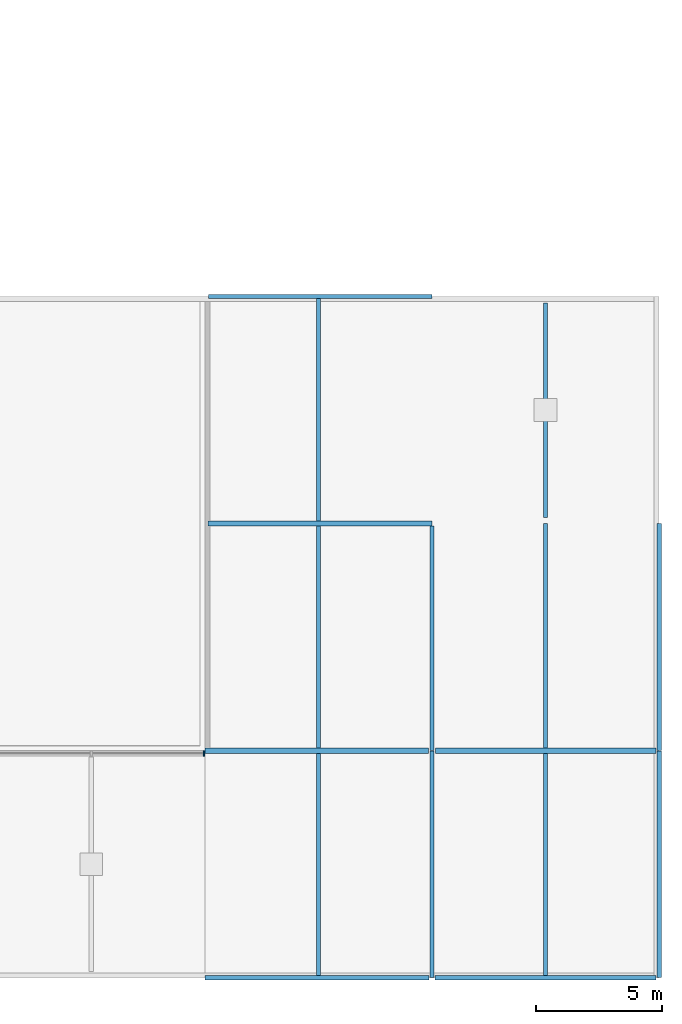
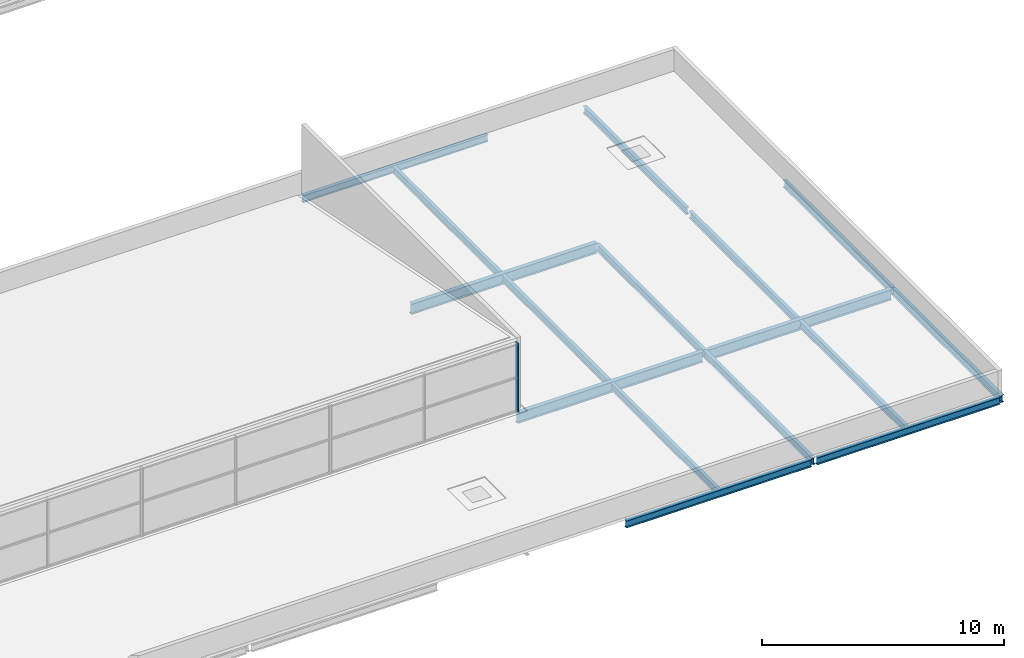
# One storey, part 26 of 50: 16 beams, 1 member, 1 element without a shape of its own.
"""IFC4 building model written with IfcOpenShell, lengths in metres."""

from ifc_helpers import new_model, si_unit, direction, frame, origin, origin_2d, place, context, subcontext, project, spatial, rectangle, i_section, extrude, material, layer, layer_set, material_profile, profile_set, type_object, element, aggregate, save


model = new_model("IFC4")

# Units and contexts
model_context = context("Model", 3, precision=1e-05, world=origin(), true_north=direction((0.0, 1.0)))
body_context = subcontext(model_context, "Body", "Model", "MODEL_VIEW")
ifc_project = project(units=[si_unit("LENGTHUNIT", "METRE"), si_unit("AREAUNIT", "SQUARE_METRE"), si_unit("VOLUMEUNIT", "CUBIC_METRE"), si_unit("PLANEANGLEUNIT", "RADIAN"), si_unit("MASSUNIT", "GRAM", prefix="KILO")], contexts=[model_context])

# Site, building, storey
site_placement = place(None, origin())
site = spatial("IfcSite", under=ifc_project, at=site_placement, CompositionType="ELEMENT")
building_placement = place(site_placement, origin())
building = spatial("IfcBuilding", under=site, at=building_placement, Name="Corbel Yard City Hall", CompositionType="ELEMENT")
storey_placement = place(building_placement, frame((0.0, 0.0, 15.0)))
storey = spatial("IfcBuildingStorey", under=building, at=storey_placement, Name="L03", CompositionType="ELEMENT", Elevation=15.0)

# Beams
ifc_material_1 = material(Name="Steel Grade 300 (300 MPa yield)", Category="steel")
ifc_material_profile_1 = material_profile(ifc_material_1, i_section(OverallWidth=0.1708984375, OverallDepth=0.35205078125, WebThickness=0.0068359375, FlangeThickness=0.009765625, at=origin_2d()), Name="360UB44.7")
ifc_profile_set_1 = profile_set([ifc_material_profile_1], Name="Steel Grade 300 (300 MPa yield)")
beam_type_1 = type_object("IfcBeamType", Name="Beam 360UB44.7", PredefinedType="BEAM", material=ifc_profile_set_1)
beam_1_placement = place(storey_placement, frame((171.0, 0.00439453125, -0.325927734375), z_axis=(0.0, 1.0, 0.0), x_axis=(-1.0, 0.0, 0.0)))
element("IfcBeam", 1, at=beam_1_placement, inside=storey, type_object=beam_type_1, Name="Beam 360UB44.7 SB13 L03roof", PredefinedType="BEAM", context=body_context, shape_type="SweptSolid", body=[
    extrude(i_section(OverallWidth=0.1708984375, OverallDepth=0.35205078125, WebThickness=0.0068359375, FlangeThickness=0.009765625, at=origin_2d()), origin(), (0.0, 0.0, 1.0), 8.990234375),
])
beam_2_placement = place(storey_placement, frame((171.0, 9.00537109375, -0.325927734375), z_axis=(0.0, 1.0, 0.0), x_axis=(-1.0, 0.0, 0.0)))
element("IfcBeam", 2, at=beam_2_placement, inside=storey, type_object=beam_type_1, Name="Beam 360UB44.7 SB13 L03roof", PredefinedType="BEAM", context=body_context, shape_type="SweptSolid", body=[
    extrude(i_section(OverallWidth=0.1708984375, OverallDepth=0.35205078125, WebThickness=0.0068359375, FlangeThickness=0.009765625, at=origin_2d()), origin(), (0.0, 0.0, 1.0), 8.89013671875),
])
ifc_material_profile_2 = material_profile(ifc_material_1, i_section(OverallWidth=0.172119140625, OverallDepth=0.35888671875, WebThickness=0.008056640625, FlangeThickness=0.012939453125, at=origin_2d()), Name="360UB56.7")
ifc_profile_set_2 = profile_set([ifc_material_profile_2], Name="Steel Grade 300 (300 MPa yield)")
beam_type_2 = type_object("IfcBeamType", Name="Edge beam 360UB56.7", PredefinedType="BEAM", material=ifc_profile_set_2)
beam_3_placement = place(storey_placement, frame((162.0, 0.0, -0.32958984375), z_axis=(1.0, 0.0, 0.0), x_axis=(0.0, 1.0, 0.0)))
element("IfcBeam", 3, at=beam_3_placement, inside=storey, type_object=beam_type_2, Name="Edge beam 360UB56.7 EB4 L03roof", PredefinedType="BEAM", context=body_context, shape_type="SweptSolid", body=[
    extrude(i_section(OverallWidth=0.172119140625, OverallDepth=0.35888671875, WebThickness=0.008056640625, FlangeThickness=0.012939453125, at=origin_2d()), origin(), (0.0, 0.0, 1.0), 8.873046875),
])
beam_4_placement = place(storey_placement, frame((171.126953125, 0.0, -0.32958984375), z_axis=(1.0, 0.0, 0.0), x_axis=(0.0, 1.0, 0.0)))
element("IfcBeam", 4, at=beam_4_placement, inside=storey, type_object=beam_type_2, Name="Edge beam 360UB56.7 EB4 L03roof", PredefinedType="BEAM", context=body_context, shape_type="SweptSolid", body=[
    extrude(i_section(OverallWidth=0.172119140625, OverallDepth=0.35888671875, WebThickness=0.008056640625, FlangeThickness=0.012939453125, at=origin_2d()), origin(), (0.0, 0.0, 1.0), 8.74609375),
])
beam_5_placement = place(storey_placement, frame((162.154052734375, 27.0, -0.32958984375), z_axis=(1.0, 0.0, 0.0), x_axis=(0.0, 1.0, 0.0)))
element("IfcBeam", 5, at=beam_5_placement, inside=storey, type_object=beam_type_2, Name="Edge beam 360UB56.7 EB4 L03roof", PredefinedType="BEAM", context=body_context, shape_type="SweptSolid", body=[
    extrude(i_section(OverallWidth=0.172119140625, OverallDepth=0.35888671875, WebThickness=0.008056640625, FlangeThickness=0.012939453125, at=origin_2d()), origin(), (0.0, 0.0, 1.0), 8.845947265625),
])
beam_6_placement = place(storey_placement, frame((180.0, 0.00439453125, -0.32958984375), z_axis=(0.0, 1.0, 0.0), x_axis=(-1.0, 0.0, 0.0)))
element("IfcBeam", 6, at=beam_6_placement, inside=storey, type_object=beam_type_2, Name="Edge beam 360UB56.7 EB4 L03roof", PredefinedType="BEAM", context=body_context, shape_type="SweptSolid", body=[
    extrude(i_section(OverallWidth=0.172119140625, OverallDepth=0.35888671875, WebThickness=0.008056640625, FlangeThickness=0.012939453125, at=origin_2d()), origin(), (0.0, 0.0, 1.0), 8.9912109375),
])
beam_7_placement = place(storey_placement, frame((180.0, 9.00439453125, -0.32958984375), z_axis=(0.0, 1.0, 0.0), x_axis=(-1.0, 0.0, 0.0)))
element("IfcBeam", 7, at=beam_7_placement, inside=storey, type_object=beam_type_2, Name="Edge beam 360UB56.7 EB4 L03roof", PredefinedType="BEAM", context=body_context, shape_type="SweptSolid", body=[
    extrude(i_section(OverallWidth=0.172119140625, OverallDepth=0.35888671875, WebThickness=0.008056640625, FlangeThickness=0.012939453125, at=origin_2d()), origin(), (0.0, 0.0, 1.0), 8.99560546875),
])
ifc_material_profile_3 = material_profile(ifc_material_1, i_section(OverallWidth=0.208984375, OverallDepth=0.528076171875, WebThickness=0.009521484375, FlangeThickness=0.01318359375, at=origin_2d()), Name="530UB82.0")
ifc_profile_set_3 = profile_set([ifc_material_profile_3], Name="Steel Grade 300 (300 MPa yield)")
beam_type_3 = type_object("IfcBeamType", Name="Girder 530UB82.0", PredefinedType="BEAM", material=ifc_profile_set_3)
beam_8_placement = place(storey_placement, frame((162.0, 9.0, -0.4140625), z_axis=(1.0, 0.0, 0.0), x_axis=(0.0, 1.0, 0.0)))
element("IfcBeam", 8, at=beam_8_placement, inside=storey, type_object=beam_type_3, Name="Girder 530UB82.0 GB3 L03roof", PredefinedType="BEAM", context=body_context, shape_type="SweptSolid", body=[
    extrude(i_section(OverallWidth=0.208984375, OverallDepth=0.528076171875, WebThickness=0.009521484375, FlangeThickness=0.01318359375, at=origin_2d()), origin(), (0.0, 0.0, 1.0), 8.8701171875),
])
beam_9_placement = place(storey_placement, frame((171.1298828125, 9.0, -0.4140625), z_axis=(1.0, 0.0, 0.0), x_axis=(0.0, 1.0, 0.0)))
element("IfcBeam", 9, at=beam_9_placement, inside=storey, type_object=beam_type_3, Name="Girder 530UB82.0 GB3 L03roof", PredefinedType="BEAM", context=body_context, shape_type="SweptSolid", body=[
    extrude(i_section(OverallWidth=0.208984375, OverallDepth=0.528076171875, WebThickness=0.009521484375, FlangeThickness=0.01318359375, at=origin_2d()), origin(), (0.0, 0.0, 1.0), 8.7431640625),
])
beam_10_placement = place(storey_placement, frame((162.1298828125, 18.0, -0.4140625), z_axis=(1.0, 0.0, 0.0), x_axis=(0.0, 1.0, 0.0)))
element("IfcBeam", 10, at=beam_10_placement, inside=storey, type_object=beam_type_3, Name="Girder 530UB82.0 GB3 L03roof", PredefinedType="BEAM", context=body_context, shape_type="SweptSolid", body=[
    extrude(i_section(OverallWidth=0.208984375, OverallDepth=0.528076171875, WebThickness=0.009521484375, FlangeThickness=0.01318359375, at=origin_2d()), origin(), (0.0, 0.0, 1.0), 8.8701171875),
])

# Curtain wall, member
ifc_material_2 = material(Name="Aluminium extrusion", Category="aluminium")
ifc_layer = layer(ifc_material_2, 0.219970703125)
ifc_layer_set = layer_set([ifc_layer], Name="Aluminium extrusion")
curtain_wall_type = type_object("IfcCurtainWallType", Name="CW5", PredefinedType="USERDEFINED", material=ifc_layer_set)
curtain_wall_placement = place(storey_placement, origin())
curtain_wall = element("IfcCurtainWall", 11, at=curtain_wall_placement, inside=storey, type_object=curtain_wall_type, Name="Hall south clerestory curtain wall", ObjectType="CURTAIN WALL", PredefinedType="USERDEFINED")
ifc_material_profile_4 = material_profile(ifc_material_2, rectangle(XDim=0.219970703125, YDim=0.06494140625, at=origin_2d()), Name="220x65")
ifc_profile_set_4 = profile_set([ifc_material_profile_4], Name="Aluminium extrusion")
member_type = type_object("IfcMemberType", Name="ML5", PredefinedType="MULLION", material=ifc_profile_set_4)
member_placement = place(storey_placement, frame((161.967529296875, 8.889892578125, 0.0), z_axis=(0.0, 0.0, 1.0), x_axis=(0.0, 1.0, 0.0)))
member = element("IfcMember", 12, at=member_placement, type_object=member_type, Name="CW5 mullion 3", PredefinedType="MULLION", context=body_context, shape_type="SweptSolid", body=[
    extrude(rectangle(XDim=0.219970703125, YDim=0.06494140625, at=origin_2d()), origin(), (0.0, 0.0, 1.0), 3.449951171875),
])
aggregate(curtain_wall, [member])

# Beams
ifc_material_profile_5 = material_profile(ifc_material_1, i_section(OverallWidth=0.1708984375, OverallDepth=0.35205078125, WebThickness=0.0068359375, FlangeThickness=0.009765625, at=origin_2d()), Name="360UB44.7")
ifc_profile_set_5 = profile_set([ifc_material_profile_5], Name="Steel Grade 300 (300 MPa yield)")
beam_type_4 = type_object("IfcBeamType", Name="Secondary beam 360UB44.7", PredefinedType="JOIST", material=ifc_profile_set_5)
beam_11_placement = place(storey_placement, frame((166.5, 0.0859375, -0.325927734375), z_axis=(0.0, 1.0, 0.0), x_axis=(-1.0, 0.0, 0.0)))
element("IfcBeam", 13, at=beam_11_placement, inside=storey, type_object=beam_type_4, Name="Secondary beam 360UB44.7 SB11 L03roof", PredefinedType="JOIST", context=body_context, shape_type="SweptSolid", body=[
    extrude(i_section(OverallWidth=0.1708984375, OverallDepth=0.35205078125, WebThickness=0.0068359375, FlangeThickness=0.009765625, at=origin_2d()), origin(), (0.0, 0.0, 1.0), 8.8095703125),
])
beam_12_placement = place(storey_placement, frame((166.5, 9.1044921875, -0.325927734375), z_axis=(0.0, 1.0, 0.0), x_axis=(-1.0, 0.0, 0.0)))
element("IfcBeam", 14, at=beam_12_placement, inside=storey, type_object=beam_type_4, Name="Secondary beam 360UB44.7 SB11 L03roof", PredefinedType="JOIST", context=body_context, shape_type="SweptSolid", body=[
    extrude(i_section(OverallWidth=0.1708984375, OverallDepth=0.35205078125, WebThickness=0.0068359375, FlangeThickness=0.009765625, at=origin_2d()), origin(), (0.0, 0.0, 1.0), 8.791015625),
])
for number, where, z_axis, x_axis, name in (
    (15, (166.5, 18.1044921875, -0.325927734375), (0.0, 1.0, 0.0), (-1.0, 0.0, 0.0), "Secondary beam 360UB44.7 SB11 L03roof"),
    (16, (175.5, 0.0859375, -0.325927734375), (0.0, 1.0, 0.0), (-1.0, 0.0, 0.0), "Secondary beam 360UB44.7 SB11 L03roof"),
):
    element("IfcBeam", number, at=place(storey_placement, frame(where, z_axis=z_axis, x_axis=x_axis)), inside=storey, type_object=beam_type_4, Name=name, PredefinedType="JOIST", context=body_context, shape_type="SweptSolid", body=[
        extrude(i_section(OverallWidth=0.1708984375, OverallDepth=0.35205078125, WebThickness=0.0068359375, FlangeThickness=0.009765625, at=origin_2d()), origin(), (0.0, 0.0, 1.0), 8.8095703125),
    ])
beam_13_placement = place(storey_placement, frame((175.5, 9.1044921875, -0.325927734375), z_axis=(0.0, 1.0, 0.0), x_axis=(-1.0, 0.0, 0.0)))
element("IfcBeam", 17, at=beam_13_placement, inside=storey, type_object=beam_type_4, Name="Secondary beam 360UB44.7 SB11 L03roof", PredefinedType="JOIST", context=body_context, shape_type="SweptSolid", body=[
    extrude(i_section(OverallWidth=0.1708984375, OverallDepth=0.35205078125, WebThickness=0.0068359375, FlangeThickness=0.009765625, at=origin_2d()), origin(), (0.0, 0.0, 1.0), 8.8955078125),
])
beam_14_placement = place(storey_placement, frame((175.5, 18.25, -0.325927734375), z_axis=(0.0, 1.0, 0.0), x_axis=(-1.0, 0.0, 0.0)))
element("IfcBeam", 18, at=beam_14_placement, inside=storey, type_object=beam_type_4, Name="Core roof beam 360UB44.7 SB11 PC-S6", PredefinedType="JOIST", context=body_context, shape_type="SweptSolid", body=[
    extrude(i_section(OverallWidth=0.1708984375, OverallDepth=0.35205078125, WebThickness=0.0068359375, FlangeThickness=0.009765625, at=origin_2d()), origin(), (0.0, 0.0, 1.0), 8.5),
])

save(model, "model.ifc")
